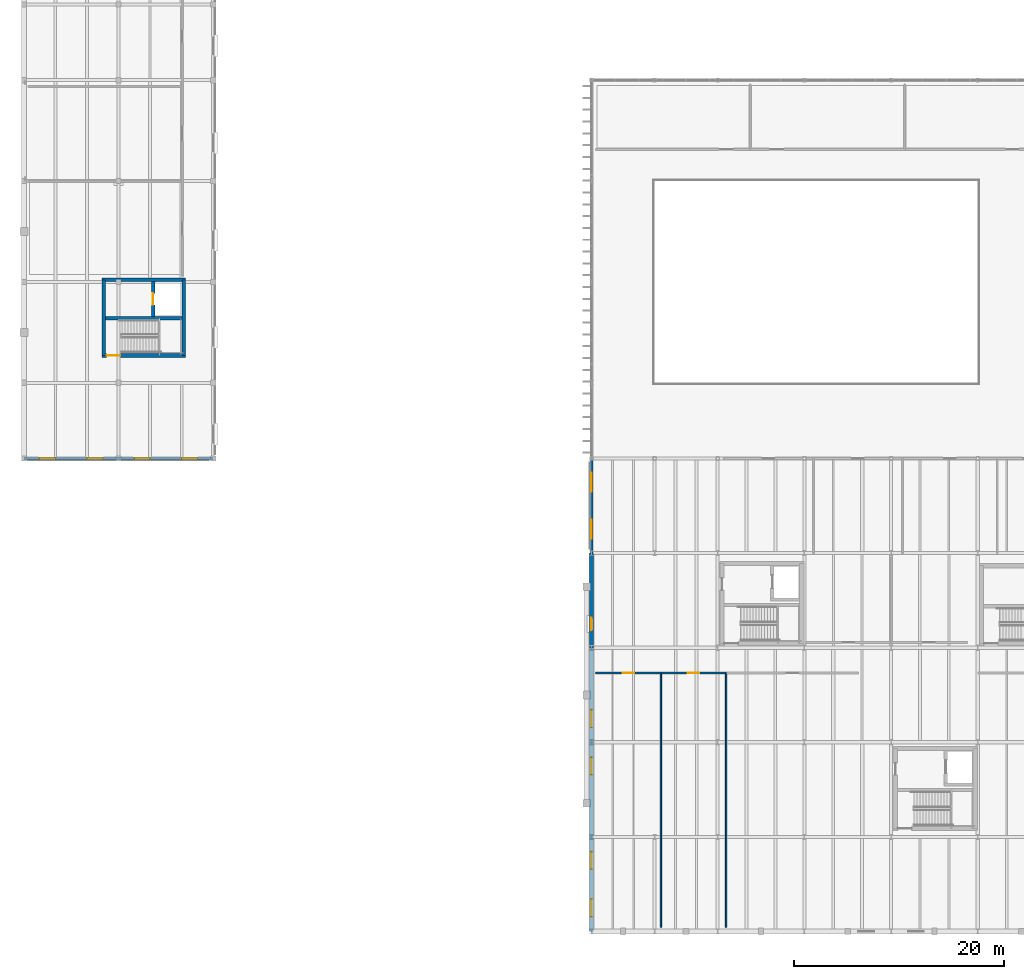
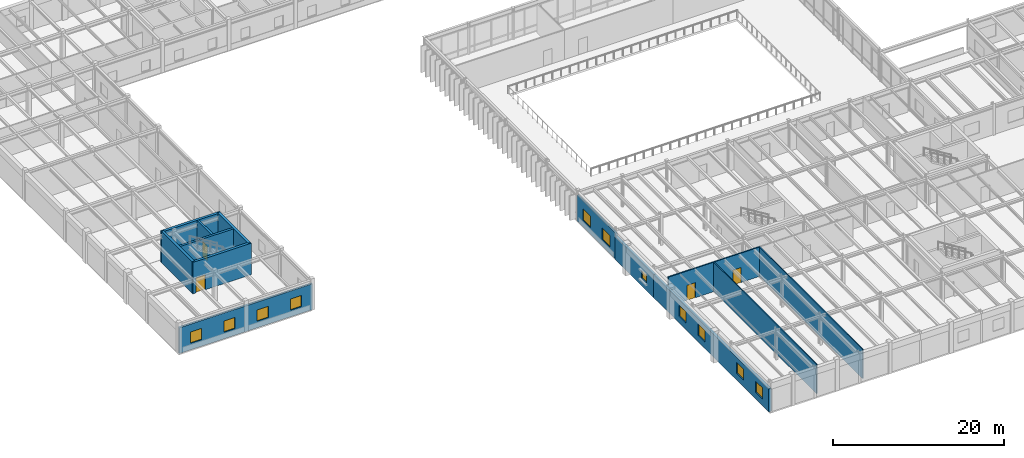
# One storey, part 43 of 64: 14 walls, 11 windows, 4 doors, 15 openings.
"""IFC4 building model written with IfcOpenShell, lengths in metres."""

from ifc_helpers import new_model, si_unit, direction, frame, frame_2d, origin, place, context, subcontext, project, spatial, rectangle, extrude, material, layer, layer_set, type_object, element, fill, save


model = new_model("IFC4")

# Units and contexts
model_context = context("Model", 3, precision=1e-05, world=origin(), true_north=direction((0.0, 1.0)))
body_context = subcontext(model_context, "Body", "Model", "MODEL_VIEW")
ifc_project = project(units=[si_unit("LENGTHUNIT", "METRE"), si_unit("AREAUNIT", "SQUARE_METRE"), si_unit("VOLUMEUNIT", "CUBIC_METRE"), si_unit("PLANEANGLEUNIT", "RADIAN"), si_unit("MASSUNIT", "GRAM", prefix="KILO")], contexts=[model_context])

# Site, building, storey
site_placement = place(None, origin())
site = spatial("IfcSite", under=ifc_project, at=site_placement, CompositionType="ELEMENT")
building_placement = place(site_placement, origin())
building = spatial("IfcBuilding", under=site, at=building_placement, Name="Montealbar Specialist Clinic", CompositionType="ELEMENT")
storey_placement = place(building_placement, frame((0.0, 0.0, 5.10009765625)))
storey = spatial("IfcBuildingStorey", under=building, at=storey_placement, Name="L01", CompositionType="ELEMENT", Elevation=5.10009765625)

# Wall
ifc_material_1 = material(Name="Concrete C35/45", Category="concrete")
ifc_layer_1 = layer(ifc_material_1, 0.300048828125, Name="Concrete C35/45", Category="concrete")
ifc_layer_set_1 = layer_set([ifc_layer_1], Name="Concrete C35/45")
wall_type_1 = type_object("IfcWallType", Name="WL-CORE-300", PredefinedType="SHEAR", material=ifc_layer_set_1)
wall_1_placement = place(storey_placement, frame((7.77490234375, 58.35009765625, 0.0), z_axis=(0.0, 0.0, 1.0), x_axis=(1.0, 0.0, 0.0)))
element("IfcWall", 1, at=wall_1_placement, inside=storey, type_object=wall_type_1, Name="Core C1 Stairwell Wall L01", PredefinedType="SHEAR", context=body_context, shape_type="SweptSolid", body=[
    extrude(rectangle(XDim=7.25, YDim=0.300048828125, at=frame_2d((3.625, 0.0))), origin(), (0.0, 0.0, 1.0), 4.5),
])

# Wall, opening, door
wall_2_placement = place(storey_placement, frame((12.300048828125, 58.5, 0.0), z_axis=(0.0, 0.0, 1.0), x_axis=(0.0, 1.0, 0.0)))
wall_2 = element("IfcWall", 2, at=wall_2_placement, inside=storey, type_object=wall_type_1, Name="Lift LF-01 Shaft Wall L01 LW", PredefinedType="SHEAR", context=body_context, shape_type="SweptSolid", body=[
    extrude(rectangle(XDim=3.324951171875, YDim=0.300048828125, at=frame_2d((1.66259765625, 0.0))), origin(), (0.0, 0.0, 1.0), 4.5),
])
opening_1_placement = place(wall_2_placement, frame((1.113037109375, 0.0, 0.0)))
opening_1 = element("IfcOpeningElement", 3, at=opening_1_placement, cuts=wall_2, Name="Opening LD-11", PredefinedType="OPENING", context=body_context, shape_type="SweptSolid", body=[
    extrude(rectangle(XDim=1.10009765625, YDim=2.14990234375, at=frame_2d((0.550048828125, 1.074951171875))), frame((0.0, 0.159912109375, 0.0), z_axis=(0.0, -1.0, 0.0), x_axis=(1.0, 0.0, 0.0)), (0.0, 0.0, 1.0), 0.320068359375),
])
ifc_material_2 = material(Name="Steel S355", Category="steel")
door_type_1 = type_object("IfcDoorType", Name="DR-LIFT-LD1100", OperationType="DOUBLE_DOOR_SLIDING", PredefinedType="DOOR", material=ifc_material_2)
door_1_placement = place(opening_1_placement, origin())
door_1 = element("IfcDoor", 4, at=door_1_placement, inside=storey, type_object=door_type_1, Name="Lift LF-01 Sliding Landing Door L01", OperationType="DOUBLE_DOOR_SLIDING", OverallHeight=2.14990234375, OverallWidth=1.10009765625, PredefinedType="DOOR", context=body_context, shape_type="SweptSolid", body=[
    extrude(rectangle(XDim=1.10009765625, YDim=2.14990234375, at=frame_2d((0.550048828125, 1.074951171875))), frame((0.0, 0.02490234375, 0.0), z_axis=(0.0, -1.0, 0.0), x_axis=(1.0, 0.0, 0.0)), (0.0, 0.0, 1.0), 0.050048828125),
])
fill(opening_1, door_1)

ifc_layer_2 = layer(ifc_material_1, 0.35009765625, Name="Concrete C35/45", Category="concrete")
ifc_layer_set_2 = layer_set([ifc_layer_2], Name="Concrete C35/45")
wall_type_2 = type_object("IfcWallType", Name="WL-CORE-350", PredefinedType="SHEAR", material=ifc_layer_set_2)
wall_3_placement = place(storey_placement, frame((7.425048828125, 54.800048828125, 0.0), z_axis=(0.0, 0.0, 1.0), x_axis=(1.0, 0.0, 0.0)))
wall_3 = element("IfcWall", 5, at=wall_3_placement, inside=storey, type_object=wall_type_2, Name="Core C1 Shear Wall L01 S", PredefinedType="SHEAR", context=body_context, shape_type="SweptSolid", body=[
    extrude(rectangle(XDim=7.949951171875, YDim=0.35009765625, at=frame_2d((3.97509765625, 0.0))), origin(), (0.0, 0.0, 1.0), 4.5),
])
opening_2_placement = place(wall_3_placement, frame((0.449951171875, 0.0, 0.0)))
opening_2 = element("IfcOpeningElement", 6, at=opening_2_placement, cuts=wall_3, Name="Opening SD-13", PredefinedType="OPENING", context=body_context, shape_type="SweptSolid", body=[
    extrude(rectangle(XDim=1.300048828125, YDim=2.14990234375, at=frame_2d((0.64990234375, 1.074951171875))), frame((0.0, 0.18505859375, 0.0), z_axis=(0.0, -1.0, 0.0), x_axis=(1.0, 0.0, 0.0)), (0.0, 0.0, 1.0), 0.3701171875),
])
door_type_2 = type_object("IfcDoorType", Name="DR-STAIR-W1300", OperationType="NOTDEFINED", PredefinedType="DOOR", material=ifc_material_2)
door_2_placement = place(opening_2_placement, frame((1.300048828125, 0.0, 0.0), z_axis=(0.0, 0.0, 1.0), x_axis=(-1.0, 0.0, 0.0)))
door_2 = element("IfcDoor", 7, at=door_2_placement, inside=storey, type_object=door_type_2, Name="Protected Core C1 Stair Fire Door L01", OperationType="SINGLE_SWING_LEFT", OverallHeight=2.14990234375, OverallWidth=1.300048828125, PredefinedType="DOOR", context=body_context, shape_type="SweptSolid", body=[
    extrude(rectangle(XDim=1.300048828125, YDim=2.14990234375, at=frame_2d((0.64990234375, 1.074951171875))), frame((0.0, 0.02490234375, 0.0), z_axis=(0.0, -1.0, 0.0), x_axis=(1.0, 0.0, 0.0)), (0.0, 0.0, 1.0), 0.050048828125),
])
fill(opening_2, door_2)

# Walls
wall_4_placement = place(storey_placement, frame((7.425048828125, 62.0, 0.0), z_axis=(0.0, 0.0, 1.0), x_axis=(1.0, 0.0, 0.0)))
element("IfcWall", 8, at=wall_4_placement, inside=storey, type_object=wall_type_2, Name="Core C1 Shear Wall L01 N", PredefinedType="SHEAR", context=body_context, shape_type="SweptSolid", body=[
    extrude(rectangle(XDim=7.949951171875, YDim=0.35009765625, at=frame_2d((3.97509765625, 0.0))), origin(), (0.0, 0.0, 1.0), 4.5),
])
for number, where, z_axis, x_axis, name in (
    (9, (7.60009765625, 54.800048828125, 0.0), (0.0, 0.0, 1.0), (0.0, 1.0, 0.0), "Core C1 Shear Wall L01 W"),
    (10, (15.199951171875, 54.800048828125, 0.0), (0.0, 0.0, 1.0), (0.0, 1.0, 0.0), "Core C1 Shear Wall L01 E"),
):
    element("IfcWall", number, at=place(storey_placement, frame(where, z_axis=z_axis, x_axis=x_axis)), inside=storey, type_object=wall_type_2, Name=name, PredefinedType="SHEAR", context=body_context, shape_type="SweptSolid", body=[
        extrude(rectangle(XDim=7.199951171875, YDim=0.35009765625, at=frame_2d((3.60009765625, 0.0))), origin(), (0.0, 0.0, 1.0), 4.5),
    ])

# Wall, openings, windows
ifc_material_3 = material(Name="Precast concrete C40/50", Category="concrete")
ifc_layer_3 = layer(ifc_material_3, 0.239990234375, Name="Precast concrete C40/50", Category="concrete")
ifc_layer_set_3 = layer_set([ifc_layer_3], Name="Precast concrete C40/50")
wall_type_3 = type_object("IfcWallType", Name="WL-EXT-CLINIC-240", PredefinedType="SOLIDWALL", material=ifc_layer_set_3)
wall_5_placement = place(storey_placement, frame((54.0, 36.0, 0.0), z_axis=(0.0, 0.0, 1.0), x_axis=(0.0, 1.0, 0.0)))
wall_5 = element("IfcWall", 11, at=wall_5_placement, inside=storey, type_object=wall_type_3, Name="Exterior Facade Wall EW-L01-036", PredefinedType="SOLIDWALL", context=body_context, shape_type="SweptSolid", body=[
    extrude(rectangle(XDim=9.0, YDim=0.239990234375, at=frame_2d((4.5, 0.0))), origin(), (0.0, 0.0, 1.0), 3.72998046875),
])
opening_3_placement = place(wall_5_placement, frame((1.35009765625, 0.0, 0.949951171875)))
opening_3 = element("IfcOpeningElement", 12, at=opening_3_placement, cuts=wall_5, Name="Opening WN-05", PredefinedType="OPENING", context=body_context, shape_type="SweptSolid", body=[
    extrude(rectangle(XDim=1.800048828125, YDim=1.64990234375, at=frame_2d((0.89990234375, 0.824951171875))), frame((0.0, 0.1298828125, 0.0), z_axis=(0.0, -1.0, 0.0), x_axis=(1.0, 0.0, 0.0)), (0.0, 0.0, 1.0), 0.260009765625),
])
opening_4_placement = place(wall_5_placement, frame((5.85009765625, 0.0, 0.949951171875)))
opening_4 = element("IfcOpeningElement", 13, at=opening_4_placement, cuts=wall_5, Name="Opening WN-05", PredefinedType="OPENING", context=body_context, shape_type="SweptSolid", body=[
    extrude(rectangle(XDim=1.800048828125, YDim=1.64990234375, at=frame_2d((0.89990234375, 0.824951171875))), frame((0.0, 0.1298828125, 0.0), z_axis=(0.0, -1.0, 0.0), x_axis=(1.0, 0.0, 0.0)), (0.0, 0.0, 1.0), 0.260009765625),
])
ifc_material_4 = material(Name="Low-E double glazing", Category="glass")
window_type_1 = type_object("IfcWindowType", Name="WIN-WN-05", PartitioningType="SINGLE_PANEL", PredefinedType="WINDOW", material=ifc_material_4)
window_1_placement = place(opening_3_placement, origin())
window_1 = element("IfcWindow", 14, at=window_1_placement, inside=storey, type_object=window_type_1, Name="Clinical Facade Window WN-05 L01-0135", OverallHeight=1.64990234375, OverallWidth=1.800048828125, PartitioningType="SINGLE_PANEL", PredefinedType="WINDOW", context=body_context, shape_type="SweptSolid", body=[
    extrude(rectangle(XDim=1.800048828125, YDim=1.64990234375, at=frame_2d((0.89990234375, 0.824951171875))), frame((0.0, 0.030029296875, 0.0), z_axis=(0.0, -1.0, 0.0), x_axis=(1.0, 0.0, 0.0)), (0.0, 0.0, 1.0), 0.06005859375),
])
fill(opening_3, window_1)
window_2_placement = place(opening_4_placement, origin())
window_2 = element("IfcWindow", 15, at=window_2_placement, inside=storey, type_object=window_type_1, Name="Clinical Facade Window WN-05 L01-0136", OverallHeight=1.64990234375, OverallWidth=1.800048828125, PartitioningType="SINGLE_PANEL", PredefinedType="WINDOW", context=body_context, shape_type="SweptSolid", body=[
    extrude(rectangle(XDim=1.800048828125, YDim=1.64990234375, at=frame_2d((0.89990234375, 0.824951171875))), frame((0.0, 0.030029296875, 0.0), z_axis=(0.0, -1.0, 0.0), x_axis=(1.0, 0.0, 0.0)), (0.0, 0.0, 1.0), 0.06005859375),
])
fill(opening_4, window_2)

# Wall, opening, window
ifc_material_5 = material(Name="Guadarrama granite ashlar", Category="masonry")
ifc_layer_4 = layer(ifc_material_5, 0.35009765625, Name="Guadarrama granite ashlar", Category="masonry")
ifc_layer_set_4 = layer_set([ifc_layer_4], Name="Guadarrama granite ashlar")
wall_type_4 = type_object("IfcWallType", Name="WL-EXT-GRANITE-350", PredefinedType="SOLIDWALL", material=ifc_layer_set_4)
wall_6_placement = place(storey_placement, frame((54.0, 27.0, 0.0), z_axis=(0.0, 0.0, 1.0), x_axis=(0.0, 1.0, 0.0)))
wall_6 = element("IfcWall", 16, at=wall_6_placement, inside=storey, type_object=wall_type_4, Name="Exterior Facade Wall EW-L01-035", PredefinedType="SOLIDWALL", context=body_context, shape_type="SweptSolid", body=[
    extrude(rectangle(XDim=9.0, YDim=0.35009765625, at=frame_2d((4.5, 0.0))), origin(), (0.0, 0.0, 1.0), 3.27978515625),
])
opening_5_placement = place(wall_6_placement, frame((1.64990234375, 0.0, 1.0400390625)))
opening_5 = element("IfcOpeningElement", 17, at=opening_5_placement, cuts=wall_6, Name="Opening WN-18", PredefinedType="OPENING", context=body_context, shape_type="SweptSolid", body=[
    extrude(rectangle(XDim=1.199951171875, YDim=1.199951171875, at=frame_2d((0.60009765625, 0.60009765625))), frame((0.0, 0.18505859375, 0.0), z_axis=(0.0, -1.0, 0.0), x_axis=(1.0, 0.0, 0.0)), (0.0, 0.0, 1.0), 0.3701171875),
])
window_type_2 = type_object("IfcWindowType", Name="WIN-WN-18", PartitioningType="SINGLE_PANEL", PredefinedType="WINDOW", material=ifc_material_4)
window_3_placement = place(opening_5_placement, origin())
window_3 = element("IfcWindow", 18, at=window_3_placement, inside=storey, type_object=window_type_2, Name="Clinical Facade Postmodern Oculus Window WN-18 L01-0134", OverallHeight=1.199951171875, OverallWidth=1.199951171875, PartitioningType="SINGLE_PANEL", PredefinedType="WINDOW", context=body_context, shape_type="SweptSolid", body=[
    extrude(rectangle(XDim=1.199951171875, YDim=1.199951171875, at=frame_2d((0.60009765625, 0.60009765625))), frame((0.0, 0.030029296875, 0.0), z_axis=(0.0, -1.0, 0.0), x_axis=(1.0, 0.0, 0.0)), (0.0, 0.0, 1.0), 0.06005859375),
])
fill(opening_5, window_3)

# Wall, openings, windows
wall_7_placement = place(storey_placement, frame((54.0, 0.0, 0.0), z_axis=(0.0, 0.0, 1.0), x_axis=(0.0, 1.0, 0.0)))
wall_7 = element("IfcWall", 19, at=wall_7_placement, inside=storey, type_object=wall_type_4, Name="Exterior Facade Wall EW-L01-048", PredefinedType="SOLIDWALL", context=body_context, shape_type="SweptSolid", body=[
    extrude(rectangle(XDim=27.0, YDim=0.35009765625, at=frame_2d((13.5, 0.0))), origin(), (0.0, 0.0, 1.0), 3.27978515625),
])
opening_6_placement = place(wall_7_placement, frame((1.425048828125, 0.0, 0.949951171875)))
opening_6 = element("IfcOpeningElement", 20, at=opening_6_placement, cuts=wall_7, Name="Opening WN-04", PredefinedType="OPENING", context=body_context, shape_type="SweptSolid", body=[
    extrude(rectangle(XDim=1.64990234375, YDim=1.60009765625, at=frame_2d((0.824951171875, 0.800048828125))), frame((0.0, 0.18505859375, 0.0), z_axis=(0.0, -1.0, 0.0), x_axis=(1.0, 0.0, 0.0)), (0.0, 0.0, 1.0), 0.3701171875),
])
opening_7_placement = place(wall_7_placement, frame((5.925048828125, 0.0, 0.949951171875)))
opening_7 = element("IfcOpeningElement", 21, at=opening_7_placement, cuts=wall_7, Name="Opening WN-04", PredefinedType="OPENING", context=body_context, shape_type="SweptSolid", body=[
    extrude(rectangle(XDim=1.64990234375, YDim=1.60009765625, at=frame_2d((0.824951171875, 0.800048828125))), frame((0.0, 0.18505859375, 0.0), z_axis=(0.0, -1.0, 0.0), x_axis=(1.0, 0.0, 0.0)), (0.0, 0.0, 1.0), 0.3701171875),
])
opening_8_placement = place(wall_7_placement, frame((14.925048828125, 0.0, 0.949951171875)))
opening_8 = element("IfcOpeningElement", 22, at=opening_8_placement, cuts=wall_7, Name="Opening WN-04", PredefinedType="OPENING", context=body_context, shape_type="SweptSolid", body=[
    extrude(rectangle(XDim=1.64990234375, YDim=1.60009765625, at=frame_2d((0.824951171875, 0.800048828125))), frame((0.0, 0.18505859375, 0.0), z_axis=(0.0, -1.0, 0.0), x_axis=(1.0, 0.0, 0.0)), (0.0, 0.0, 1.0), 0.3701171875),
])
opening_9_placement = place(wall_7_placement, frame((19.425048828125, 0.0, 0.949951171875)))
opening_9 = element("IfcOpeningElement", 23, at=opening_9_placement, cuts=wall_7, Name="Opening WN-04", PredefinedType="OPENING", context=body_context, shape_type="SweptSolid", body=[
    extrude(rectangle(XDim=1.64990234375, YDim=1.60009765625, at=frame_2d((0.824951171875, 0.800048828125))), frame((0.0, 0.18505859375, 0.0), z_axis=(0.0, -1.0, 0.0), x_axis=(1.0, 0.0, 0.0)), (0.0, 0.0, 1.0), 0.3701171875),
])
window_type_3 = type_object("IfcWindowType", Name="WIN-WN-04", PartitioningType="SINGLE_PANEL", PredefinedType="WINDOW", material=ifc_material_4)
window_4_placement = place(opening_6_placement, origin())
window_4 = element("IfcWindow", 24, at=window_4_placement, inside=storey, type_object=window_type_3, Name="Clinical Facade Window WN-04 L01-0172", OverallHeight=1.60009765625, OverallWidth=1.64990234375, PartitioningType="SINGLE_PANEL", PredefinedType="WINDOW", context=body_context, shape_type="SweptSolid", body=[
    extrude(rectangle(XDim=1.64990234375, YDim=1.60009765625, at=frame_2d((0.824951171875, 0.800048828125))), frame((0.0, 0.030029296875, 0.0), z_axis=(0.0, -1.0, 0.0), x_axis=(1.0, 0.0, 0.0)), (0.0, 0.0, 1.0), 0.06005859375),
])
fill(opening_6, window_4)
window_5_placement = place(opening_7_placement, origin())
window_5 = element("IfcWindow", 25, at=window_5_placement, inside=storey, type_object=window_type_3, Name="Clinical Facade Window WN-04 L01-0173", OverallHeight=1.60009765625, OverallWidth=1.64990234375, PartitioningType="SINGLE_PANEL", PredefinedType="WINDOW", context=body_context, shape_type="SweptSolid", body=[
    extrude(rectangle(XDim=1.64990234375, YDim=1.60009765625, at=frame_2d((0.824951171875, 0.800048828125))), frame((0.0, 0.030029296875, 0.0), z_axis=(0.0, -1.0, 0.0), x_axis=(1.0, 0.0, 0.0)), (0.0, 0.0, 1.0), 0.06005859375),
])
fill(opening_7, window_5)
window_6_placement = place(opening_8_placement, origin())
window_6 = element("IfcWindow", 26, at=window_6_placement, inside=storey, type_object=window_type_3, Name="Clinical Facade Window WN-04 L01-0174", OverallHeight=1.60009765625, OverallWidth=1.64990234375, PartitioningType="SINGLE_PANEL", PredefinedType="WINDOW", context=body_context, shape_type="SweptSolid", body=[
    extrude(rectangle(XDim=1.64990234375, YDim=1.60009765625, at=frame_2d((0.824951171875, 0.800048828125))), frame((0.0, 0.030029296875, 0.0), z_axis=(0.0, -1.0, 0.0), x_axis=(1.0, 0.0, 0.0)), (0.0, 0.0, 1.0), 0.06005859375),
])
fill(opening_8, window_6)
window_7_placement = place(opening_9_placement, origin())
window_7 = element("IfcWindow", 27, at=window_7_placement, inside=storey, type_object=window_type_3, Name="Clinical Facade Window WN-04 L01-0175", OverallHeight=1.60009765625, OverallWidth=1.64990234375, PartitioningType="SINGLE_PANEL", PredefinedType="WINDOW", context=body_context, shape_type="SweptSolid", body=[
    extrude(rectangle(XDim=1.64990234375, YDim=1.60009765625, at=frame_2d((0.824951171875, 0.800048828125))), frame((0.0, 0.030029296875, 0.0), z_axis=(0.0, -1.0, 0.0), x_axis=(1.0, 0.0, 0.0)), (0.0, 0.0, 1.0), 0.06005859375),
])
fill(opening_9, window_7)

ifc_layer_5 = layer(ifc_material_3, 0.280029296875, Name="Precast concrete C40/50", Category="concrete")
ifc_layer_set_5 = layer_set([ifc_layer_5], Name="Precast concrete C40/50")
wall_type_5 = type_object("IfcWallType", Name="WL-EXT-PRECAST-280", PredefinedType="SOLIDWALL", material=ifc_layer_set_5)
wall_8_placement = place(storey_placement, frame((18.0, 45.0, 0.0), z_axis=(0.0, 0.0, 1.0), x_axis=(-1.0, 0.0, 0.0)))
wall_8 = element("IfcWall", 28, at=wall_8_placement, inside=storey, type_object=wall_type_5, Name="Exterior Facade Wall EW-L01-034", PredefinedType="SOLIDWALL", context=body_context, shape_type="SweptSolid", body=[
    extrude(rectangle(XDim=18.0, YDim=0.280029296875, at=frame_2d((9.0, 0.0))), origin(), (0.0, 0.0, 1.0), 3.679931640625),
])
opening_10_placement = place(wall_8_placement, frame((1.5, 0.0, 0.949951171875)))
opening_10 = element("IfcOpeningElement", 29, at=opening_10_placement, cuts=wall_8, Name="Opening WN-03", PredefinedType="OPENING", context=body_context, shape_type="SweptSolid", body=[
    extrude(rectangle(XDim=1.5, YDim=1.60009765625, at=frame_2d((0.75, 0.800048828125))), frame((0.0, 0.14990234375, 0.0), z_axis=(0.0, -1.0, 0.0), x_axis=(1.0, 0.0, 0.0)), (0.0, 0.0, 1.0), 0.300048828125),
])
opening_11_placement = place(wall_8_placement, frame((6.0, 0.0, 0.949951171875)))
opening_11 = element("IfcOpeningElement", 30, at=opening_11_placement, cuts=wall_8, Name="Opening WN-03", PredefinedType="OPENING", context=body_context, shape_type="SweptSolid", body=[
    extrude(rectangle(XDim=1.5, YDim=1.60009765625, at=frame_2d((0.75, 0.800048828125))), frame((0.0, 0.14990234375, 0.0), z_axis=(0.0, -1.0, 0.0), x_axis=(1.0, 0.0, 0.0)), (0.0, 0.0, 1.0), 0.300048828125),
])
opening_12_placement = place(wall_8_placement, frame((10.5, 0.0, 0.949951171875)))
opening_12 = element("IfcOpeningElement", 31, at=opening_12_placement, cuts=wall_8, Name="Opening WN-03", PredefinedType="OPENING", context=body_context, shape_type="SweptSolid", body=[
    extrude(rectangle(XDim=1.5, YDim=1.60009765625, at=frame_2d((0.75, 0.800048828125))), frame((0.0, 0.14990234375, 0.0), z_axis=(0.0, -1.0, 0.0), x_axis=(1.0, 0.0, 0.0)), (0.0, 0.0, 1.0), 0.300048828125),
])
opening_13_placement = place(wall_8_placement, frame((15.0, 0.0, 0.949951171875)))
opening_13 = element("IfcOpeningElement", 32, at=opening_13_placement, cuts=wall_8, Name="Opening WN-03", PredefinedType="OPENING", context=body_context, shape_type="SweptSolid", body=[
    extrude(rectangle(XDim=1.5, YDim=1.60009765625, at=frame_2d((0.75, 0.800048828125))), frame((0.0, 0.14990234375, 0.0), z_axis=(0.0, -1.0, 0.0), x_axis=(1.0, 0.0, 0.0)), (0.0, 0.0, 1.0), 0.300048828125),
])
window_type_4 = type_object("IfcWindowType", Name="WIN-WN-03", PartitioningType="SINGLE_PANEL", PredefinedType="WINDOW", material=ifc_material_4)
window_8_placement = place(opening_10_placement, origin())
window_8 = element("IfcWindow", 33, at=window_8_placement, inside=storey, type_object=window_type_4, Name="Clinical Facade Window WN-03 L01-0130", OverallHeight=1.60009765625, OverallWidth=1.5, PartitioningType="SINGLE_PANEL", PredefinedType="WINDOW", context=body_context, shape_type="SweptSolid", body=[
    extrude(rectangle(XDim=1.5, YDim=1.60009765625, at=frame_2d((0.75, 0.800048828125))), frame((0.0, 0.030029296875, 0.0), z_axis=(0.0, -1.0, 0.0), x_axis=(1.0, 0.0, 0.0)), (0.0, 0.0, 1.0), 0.06005859375),
])
fill(opening_10, window_8)
window_9_placement = place(opening_11_placement, origin())
window_9 = element("IfcWindow", 34, at=window_9_placement, inside=storey, type_object=window_type_4, Name="Clinical Facade Window WN-03 L01-0131", OverallHeight=1.60009765625, OverallWidth=1.5, PartitioningType="SINGLE_PANEL", PredefinedType="WINDOW", context=body_context, shape_type="SweptSolid", body=[
    extrude(rectangle(XDim=1.5, YDim=1.60009765625, at=frame_2d((0.75, 0.800048828125))), frame((0.0, 0.030029296875, 0.0), z_axis=(0.0, -1.0, 0.0), x_axis=(1.0, 0.0, 0.0)), (0.0, 0.0, 1.0), 0.06005859375),
])
fill(opening_11, window_9)
window_10_placement = place(opening_12_placement, origin())
window_10 = element("IfcWindow", 35, at=window_10_placement, inside=storey, type_object=window_type_4, Name="Clinical Facade Window WN-03 L01-0132", OverallHeight=1.60009765625, OverallWidth=1.5, PartitioningType="SINGLE_PANEL", PredefinedType="WINDOW", context=body_context, shape_type="SweptSolid", body=[
    extrude(rectangle(XDim=1.5, YDim=1.60009765625, at=frame_2d((0.75, 0.800048828125))), frame((0.0, 0.030029296875, 0.0), z_axis=(0.0, -1.0, 0.0), x_axis=(1.0, 0.0, 0.0)), (0.0, 0.0, 1.0), 0.06005859375),
])
fill(opening_12, window_10)
window_11_placement = place(opening_13_placement, origin())
window_11 = element("IfcWindow", 36, at=window_11_placement, inside=storey, type_object=window_type_4, Name="Clinical Facade Window WN-03 L01-0133", OverallHeight=1.60009765625, OverallWidth=1.5, PartitioningType="SINGLE_PANEL", PredefinedType="WINDOW", context=body_context, shape_type="SweptSolid", body=[
    extrude(rectangle(XDim=1.5, YDim=1.60009765625, at=frame_2d((0.75, 0.800048828125))), frame((0.0, 0.030029296875, 0.0), z_axis=(0.0, -1.0, 0.0), x_axis=(1.0, 0.0, 0.0)), (0.0, 0.0, 1.0), 0.06005859375),
])
fill(opening_13, window_11)

# Walls
ifc_material_6 = material(Name="Gypsum acoustic partition", Category="gypsum")
ifc_layer_6 = layer(ifc_material_6, 0.139892578125, Name="Gypsum acoustic partition", Category="gypsum")
ifc_layer_set_6 = layer_set([ifc_layer_6], Name="Gypsum acoustic partition")
wall_type_6 = type_object("IfcWallType", Name="WL-PART-ACOUSTIC-140", PredefinedType="PARTITIONING", material=ifc_layer_set_6)
for number, where, z_axis, x_axis, name in (
    (37, (60.60009765625, 0.39990234375, 0.0), (0.0, 0.0, 1.0), (0.0, 1.0, 0.0), "Clinical Partition PART-L01-0093"),
    (38, (66.800048828125, 0.39990234375, 0.0), (0.0, 0.0, 1.0), (0.0, 1.0, 0.0), "Clinical Partition PART-L01-0095"),
):
    element("IfcWall", number, at=place(storey_placement, frame(where, z_axis=z_axis, x_axis=x_axis)), inside=storey, type_object=wall_type_6, Name=name, PredefinedType="PARTITIONING", context=body_context, shape_type="SweptSolid", body=[
        extrude(rectangle(XDim=24.2001953125, YDim=0.139892578125, at=frame_2d((12.10009765625, 0.0))), origin(), (0.0, 0.0, 1.0), 4.2099609375),
    ])

# Wall, opening, door
ifc_layer_7 = layer(ifc_material_6, 0.159912109375, Name="Gypsum acoustic partition", Category="gypsum")
ifc_layer_set_7 = layer_set([ifc_layer_7], Name="Gypsum acoustic partition")
wall_type_7 = type_object("IfcWallType", Name="WL-PART-CLINIC-160", PredefinedType="PARTITIONING", material=ifc_layer_set_7)
wall_9_placement = place(storey_placement, frame((54.39990234375, 24.60009765625, 0.0), z_axis=(0.0, 0.0, 1.0), x_axis=(1.0, 0.0, 0.0)))
wall_9 = element("IfcWall", 39, at=wall_9_placement, inside=storey, type_object=wall_type_7, Name="Clinical Partition PART-L01-0092", PredefinedType="PARTITIONING", context=body_context, shape_type="SweptSolid", body=[
    extrude(rectangle(XDim=6.2001953125, YDim=0.159912109375, at=frame_2d((3.10009765625, 0.0))), origin(), (0.0, 0.0, 1.0), 4.2099609375),
])
opening_14_placement = place(wall_9_placement, frame((2.550048828125, 0.0, 0.0)))
opening_14 = element("IfcOpeningElement", 40, at=opening_14_placement, cuts=wall_9, Name="Opening ID-110", PredefinedType="OPENING", context=body_context, shape_type="SweptSolid", body=[
    extrude(rectangle(XDim=1.10009765625, YDim=2.14990234375, at=frame_2d((0.550048828125, 1.074951171875))), frame((0.0, 0.08984375, 0.0), z_axis=(0.0, -1.0, 0.0), x_axis=(1.0, 0.0, 0.0)), (0.0, 0.0, 1.0), 0.179931640625),
])
ifc_material_7 = material(Name="Acoustic timber leaf", Category="wood")
door_type_3 = type_object("IfcDoorType", Name="DR-CLIN-W1100", OperationType="NOTDEFINED", PredefinedType="DOOR", material=ifc_material_7)
door_3_placement = place(opening_14_placement, origin())
door_3 = element("IfcDoor", 41, at=door_3_placement, inside=storey, type_object=door_type_3, Name="Clinical Room Door IDR-L01-0061", OperationType="SINGLE_SWING_LEFT", OverallHeight=2.14990234375, OverallWidth=1.10009765625, PredefinedType="DOOR", context=body_context, shape_type="SweptSolid", body=[
    extrude(rectangle(XDim=1.10009765625, YDim=2.14990234375, at=frame_2d((0.550048828125, 1.074951171875))), frame((0.0, 0.02490234375, 0.0), z_axis=(0.0, -1.0, 0.0), x_axis=(1.0, 0.0, 0.0)), (0.0, 0.0, 1.0), 0.050048828125),
])
fill(opening_14, door_3)

wall_10_placement = place(storey_placement, frame((60.60009765625, 24.60009765625, 0.0), z_axis=(0.0, 0.0, 1.0), x_axis=(1.0, 0.0, 0.0)))
wall_10 = element("IfcWall", 42, at=wall_10_placement, inside=storey, type_object=wall_type_7, Name="Clinical Partition PART-L01-0094", PredefinedType="PARTITIONING", context=body_context, shape_type="SweptSolid", body=[
    extrude(rectangle(XDim=6.199951171875, YDim=0.159912109375, at=frame_2d((3.10009765625, 0.0))), origin(), (0.0, 0.0, 1.0), 4.2099609375),
])
opening_15_placement = place(wall_10_placement, frame((2.550048828125, 0.0, 0.0)))
opening_15 = element("IfcOpeningElement", 43, at=opening_15_placement, cuts=wall_10, Name="Opening ID-110", PredefinedType="OPENING", context=body_context, shape_type="SweptSolid", body=[
    extrude(rectangle(XDim=1.10009765625, YDim=2.14990234375, at=frame_2d((0.550048828125, 1.074951171875))), frame((0.0, 0.08984375, 0.0), z_axis=(0.0, -1.0, 0.0), x_axis=(1.0, 0.0, 0.0)), (0.0, 0.0, 1.0), 0.179931640625),
])
door_4_placement = place(opening_15_placement, origin())
door_4 = element("IfcDoor", 44, at=door_4_placement, inside=storey, type_object=door_type_3, Name="Clinical Room Door IDR-L01-0062", OperationType="SINGLE_SWING_RIGHT", OverallHeight=2.14990234375, OverallWidth=1.10009765625, PredefinedType="DOOR", context=body_context, shape_type="SweptSolid", body=[
    extrude(rectangle(XDim=1.10009765625, YDim=2.14990234375, at=frame_2d((0.550048828125, 1.074951171875))), frame((0.0, 0.02490234375, 0.0), z_axis=(0.0, -1.0, 0.0), x_axis=(1.0, 0.0, 0.0)), (0.0, 0.0, 1.0), 0.050048828125),
])
fill(opening_15, door_4)

save(model, "model.ifc")
